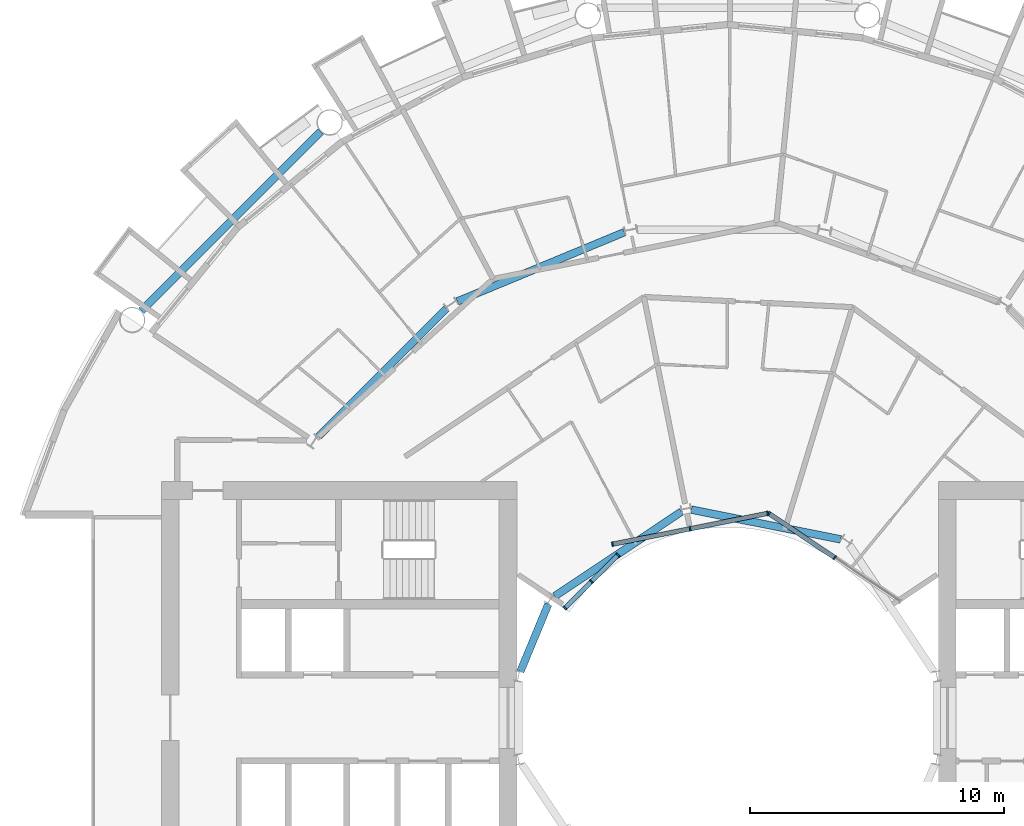
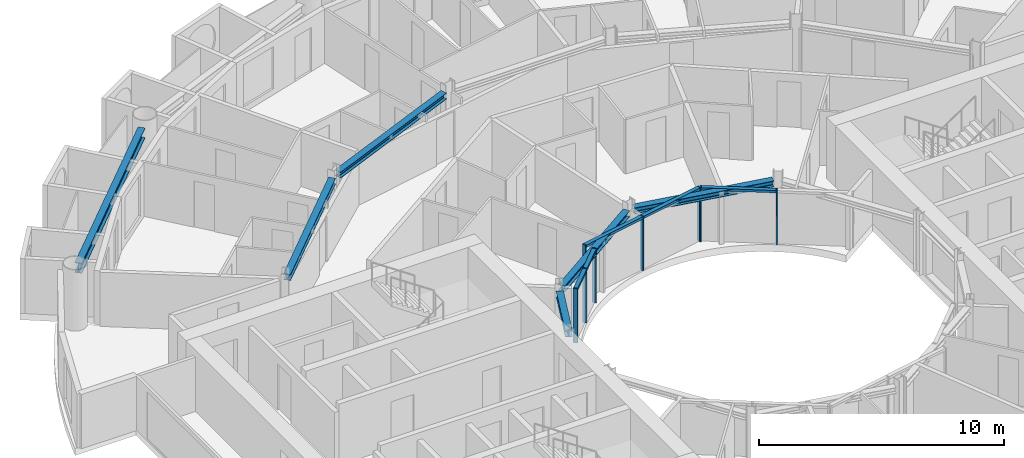
# One storey, part 7 of 26: 13 members, 6 beams, 3 elements without a shape of their own.
"""IFC4 building model written with IfcOpenShell, lengths in metres."""

from ifc_helpers import new_model, si_unit, direction, frame, origin, origin_2d, place, context, subcontext, project, spatial, rectangle, i_section, extrude, material, layer, layer_set, material_profile, profile_set, type_object, element, aggregate, save


model = new_model("IFC4")

# Units and contexts
model_context = context("Model", 3, precision=1e-05, world=origin(), true_north=direction((0.0, 1.0)))
body_context = subcontext(model_context, "Body", "Model", "MODEL_VIEW")
ifc_project = project(units=[si_unit("LENGTHUNIT", "METRE"), si_unit("AREAUNIT", "SQUARE_METRE"), si_unit("VOLUMEUNIT", "CUBIC_METRE"), si_unit("PLANEANGLEUNIT", "RADIAN"), si_unit("MASSUNIT", "GRAM", prefix="KILO")], contexts=[model_context])

# Site, building, storey
site_placement = place(None, origin())
site = spatial("IfcSite", under=ifc_project, at=site_placement, CompositionType="ELEMENT")
building_placement = place(site_placement, origin())
building = spatial("IfcBuilding", under=site, at=building_placement, Name="Maasbend Ring Residences", CompositionType="ELEMENT")
storey_placement = place(building_placement, frame((0.0, 0.0, 66.64990234375)))
storey = spatial("IfcBuildingStorey", under=building, at=storey_placement, Name="L18", CompositionType="ELEMENT", Elevation=66.64990234375)

# Curtain wall, members
ifc_material_1 = material(Name="Aluminium and clear glass", Category="aluminium")
ifc_layer = layer(ifc_material_1, 0.179931640625)
ifc_layer_set = layer_set([ifc_layer], Name="CW-W")
curtain_wall_type = type_object("IfcCurtainWallType", Name="CW-W", PredefinedType="NOTDEFINED", material=ifc_layer_set)
curtain_wall_1_placement = place(storey_placement, origin())
curtain_wall_1 = element("IfcCurtainWall", 1, at=curtain_wall_1_placement, inside=storey, type_object=curtain_wall_type, Name="Well curtain wall N1", PredefinedType="NOTDEFINED")
ifc_material_2 = material(Name="Aluminium 6063-T6", Category="aluminium")
ifc_material_profile_1 = material_profile(ifc_material_2, rectangle(XDim=0.179931640625, YDim=0.06005859375, at=origin_2d()), Name="AL 180x60")
ifc_profile_set_1 = profile_set([ifc_material_profile_1], Name="Aluminium 6063-T6")
member_type_1 = type_object("IfcMemberType", Name="CWM-W", PredefinedType="MULLION", material=ifc_profile_set_1)
member_1_placement = place(storey_placement, frame((4.216796875, 6.310791015625, 0.0), z_axis=(0.0, 0.0, 1.0), x_axis=(-0.55557023302, -0.831469612303, 0.0)))
member_1 = element("IfcMember", 2, at=member_1_placement, type_object=member_type_1, Name="Mullion well face", PredefinedType="MULLION", context=body_context, shape_type="SweptSolid", body=[
    extrude(rectangle(XDim=0.179931640625, YDim=0.06005859375, at=origin_2d()), origin(), (0.0, 0.0, 1.0), 2.7001953125),
])
member_2_placement = place(storey_placement, frame((1.627685546875, 8.040771484375, 0.0), z_axis=(0.0, 0.0, 1.0), x_axis=(-0.55557023302, -0.831469612303, 0.0)))
member_2 = element("IfcMember", 3, at=member_2_placement, type_object=member_type_1, Name="Mullion well face", PredefinedType="MULLION", context=body_context, shape_type="SweptSolid", body=[
    extrude(rectangle(XDim=0.179931640625, YDim=0.06005859375, at=origin_2d()), origin(), (0.0, 0.0, 1.0), 2.7001953125),
])

curtain_wall_2_placement = place(storey_placement, origin())
curtain_wall_2 = element("IfcCurtainWall", 4, at=curtain_wall_2_placement, inside=storey, type_object=curtain_wall_type, Name="Well curtain wall N2", PredefinedType="NOTDEFINED")
member_3_placement = place(storey_placement, frame((1.5732421875, 8.0517578125, 0.0), z_axis=(0.0, 0.0, 1.0), x_axis=(0.195090322016, -0.980785280403, 0.0)))
member_3 = element("IfcMember", 5, at=member_3_placement, type_object=member_type_1, Name="Mullion well face", PredefinedType="MULLION", context=body_context, shape_type="SweptSolid", body=[
    extrude(rectangle(XDim=0.179931640625, YDim=0.06005859375, at=origin_2d()), origin(), (0.0, 0.0, 1.0), 2.7001953125),
])
member_4_placement = place(storey_placement, frame((-1.480712890625, 7.444091796875, 0.0), z_axis=(0.0, 0.0, 1.0), x_axis=(0.195090322016, -0.980785280403, 0.0)))
member_4 = element("IfcMember", 6, at=member_4_placement, type_object=member_type_1, Name="Mullion well face", PredefinedType="MULLION", context=body_context, shape_type="SweptSolid", body=[
    extrude(rectangle(XDim=0.179931640625, YDim=0.06005859375, at=origin_2d()), origin(), (0.0, 0.0, 1.0), 2.7001953125),
])
member_5_placement = place(storey_placement, frame((-4.53466796875, 6.836669921875, 0.0), z_axis=(0.0, 0.0, 1.0), x_axis=(0.195090322016, -0.980785280403, 0.0)))
member_5 = element("IfcMember", 7, at=member_5_placement, type_object=member_type_1, Name="Mullion well face", PredefinedType="MULLION", context=body_context, shape_type="SweptSolid", body=[
    extrude(rectangle(XDim=0.179931640625, YDim=0.06005859375, at=origin_2d()), origin(), (0.0, 0.0, 1.0), 2.7001953125),
])

curtain_wall_3_placement = place(storey_placement, origin())
curtain_wall_3 = element("IfcCurtainWall", 8, at=curtain_wall_3_placement, inside=storey, type_object=curtain_wall_type, Name="Well curtain wall N3", PredefinedType="NOTDEFINED")
member_6_placement = place(storey_placement, frame((-4.320556640625, 6.413330078125, 0.0), z_axis=(0.0, 0.0, 1.0), x_axis=(0.707106781187, -0.707106781187, 0.0)))
member_6 = element("IfcMember", 9, at=member_6_placement, type_object=member_type_1, Name="Mullion well face", PredefinedType="MULLION", context=body_context, shape_type="SweptSolid", body=[
    extrude(rectangle(XDim=0.179931640625, YDim=0.06005859375, at=origin_2d()), origin(), (0.0, 0.0, 1.0), 2.7001953125),
])
member_7_placement = place(storey_placement, frame((-5.366943359375, 5.366943359375, 0.0), z_axis=(0.0, 0.0, 1.0), x_axis=(0.707106781187, -0.707106781187, 0.0)))
member_7 = element("IfcMember", 10, at=member_7_placement, type_object=member_type_1, Name="Mullion well face", PredefinedType="MULLION", context=body_context, shape_type="SweptSolid", body=[
    extrude(rectangle(XDim=0.179931640625, YDim=0.06005859375, at=origin_2d()), origin(), (0.0, 0.0, 1.0), 2.7001953125),
])
member_8_placement = place(storey_placement, frame((-6.413330078125, 4.320556640625, 0.0), z_axis=(0.0, 0.0, 1.0), x_axis=(0.707106781187, -0.707106781187, 0.0)))
member_8 = element("IfcMember", 11, at=member_8_placement, type_object=member_type_1, Name="Mullion well face", PredefinedType="MULLION", context=body_context, shape_type="SweptSolid", body=[
    extrude(rectangle(XDim=0.179931640625, YDim=0.06005859375, at=origin_2d()), origin(), (0.0, 0.0, 1.0), 2.7001953125),
])

# Member
ifc_material_3 = material(Name="Aluminium 6063-T6", Category="aluminium")
ifc_material_profile_2 = material_profile(ifc_material_3, rectangle(XDim=0.179931640625, YDim=0.1201171875, at=origin_2d()), Name="AL 180x120")
ifc_profile_set_2 = profile_set([ifc_material_profile_2], Name="Aluminium 6063-T6")
member_type_2 = type_object("IfcMemberType", Name="CWT-W", PredefinedType="USERDEFINED", material=ifc_profile_set_2)
member_9_placement = place(storey_placement, frame((4.19189453125, 6.32763671875, 2.64013671875), z_axis=(-0.831496422459, 0.555530106689, 0.0), x_axis=(-0.555530106689, -0.831496422459, 0.0)))
member_9 = element("IfcMember", 12, at=member_9_placement, type_object=member_type_2, Name="Transom well face", ObjectType="TRANSOM", PredefinedType="USERDEFINED", context=body_context, shape_type="SweptSolid", body=[
    extrude(rectangle(XDim=0.179931640625, YDim=0.1201171875, at=origin_2d()), origin(), (0.0, 0.0, 1.0), 3.053955078125),
])

aggregate(curtain_wall_1, [member_1, member_2, member_9])

member_10_placement = place(storey_placement, frame((1.5439453125, 8.0458984375, 2.64013671875), z_axis=(-0.980776956105, -0.195132166424, 0.0), x_axis=(0.195132166424, -0.980776956105, 0.0)))
member_10 = element("IfcMember", 13, at=member_10_placement, type_object=member_type_2, Name="Transom well face", ObjectType="TRANSOM", PredefinedType="USERDEFINED", context=body_context, shape_type="SweptSolid", body=[
    extrude(rectangle(XDim=0.179931640625, YDim=0.1201171875, at=origin_2d()), origin(), (0.0, 0.0, 1.0), 3.053955078125),
])

member_11_placement = place(storey_placement, frame((-1.51025390625, 7.438232421875, 2.64013671875), z_axis=(-0.980789210404, -0.19507056353, 0.0), x_axis=(0.19507056353, -0.980789210404, 0.0)))
member_11 = element("IfcMember", 14, at=member_11_placement, type_object=member_type_2, Name="Transom well face", ObjectType="TRANSOM", PredefinedType="USERDEFINED", context=body_context, shape_type="SweptSolid", body=[
    extrude(rectangle(XDim=0.179931640625, YDim=0.1201171875, at=origin_2d()), origin(), (0.0, 0.0, 1.0), 3.0537109375),
])

aggregate(curtain_wall_2, [member_3, member_4, member_5, member_10, member_11])

member_12_placement = place(storey_placement, frame((-4.341796875, 6.39208984375, 2.64013671875), z_axis=(-0.707106781187, -0.707106781187, 0.0), x_axis=(0.707106781187, -0.707106781187, 0.0)))
member_12 = element("IfcMember", 15, at=member_12_placement, type_object=member_type_2, Name="Transom well face", ObjectType="TRANSOM", PredefinedType="USERDEFINED", context=body_context, shape_type="SweptSolid", body=[
    extrude(rectangle(XDim=0.179931640625, YDim=0.1201171875, at=origin_2d()), origin(), (0.0, 0.0, 1.0), 1.419677734375),
])

member_13_placement = place(storey_placement, frame((-5.38818359375, 5.345703125, 2.64013671875), z_axis=(-0.707106781187, -0.707106781187, 0.0), x_axis=(0.707106781187, -0.707106781187, 0.0)))
member_13 = element("IfcMember", 16, at=member_13_placement, type_object=member_type_2, Name="Transom well face", ObjectType="TRANSOM", PredefinedType="USERDEFINED", context=body_context, shape_type="SweptSolid", body=[
    extrude(rectangle(XDim=0.179931640625, YDim=0.1201171875, at=origin_2d()), origin(), (0.0, 0.0, 1.0), 1.419677734375),
])

aggregate(curtain_wall_3, [member_6, member_7, member_8, member_12, member_13])

# Beams
ifc_material_4 = material(Name="Steel S355J2", Category="steel")
ifc_material_profile_3 = material_profile(ifc_material_4, i_section(OverallWidth=0.300048828125, OverallDepth=0.300048828125, WebThickness=0.010986328125, FlangeThickness=0.01904296875, FilletRadius=0.027099609375, at=origin_2d()), Name="HEB 300")
ifc_profile_set_3 = profile_set([ifc_material_profile_3], Name="Steel S355J2")
beam_type_1 = type_object("IfcBeamType", Name="Corridor ring beam HEB 300", PredefinedType="BEAM", material=ifc_profile_set_3)
for number, where, z_axis, x_axis, name in (
    (17, (-4.070556640625, 19.12109375, 2.550048828125), (-0.923877113721, -0.382689271788, 0.0), (0.382689271788, -0.923877113721, 0.0), "Corridor ring beam"),
    (18, (-11.078125, 16.10791015625, 2.550048828125), (-0.707106781187, -0.707106781187, 0.0), (0.707106781187, -0.707106781187, 0.0), "Corridor ring beam"),
):
    element("IfcBeam", number, at=place(storey_placement, frame(where, z_axis=z_axis, x_axis=x_axis)), inside=storey, type_object=beam_type_1, Name=name, PredefinedType="BEAM", context=body_context, shape_type="SweptSolid", body=[
        extrude(i_section(OverallWidth=0.300048828125, OverallDepth=0.300048828125, WebThickness=0.010986328125, FlangeThickness=0.01904296875, FilletRadius=0.027099609375, at=origin_2d()), origin(), (0.0, 0.0, 1.0), 7.11328125),
    ])
ifc_material_5 = material(Name="Steel S355J2", Category="steel")
ifc_material_profile_4 = material_profile(ifc_material_5, i_section(OverallWidth=0.300048828125, OverallDepth=0.5, WebThickness=0.014404296875, FlangeThickness=0.028076171875, FilletRadius=0.027099609375, at=origin_2d()), Name="HEB 500")
ifc_profile_set_4 = profile_set([ifc_material_profile_4], Name="Steel S355J2")
beam_type_2 = type_object("IfcBeamType", Name="Spandrel ring beam HEB 500", PredefinedType="SPANDREL", material=ifc_profile_set_4)
beam_1_placement = place(storey_placement, frame((-16.0263671875, 23.088134765625, 2.4501953125), z_axis=(-0.707106781187, -0.707106781187, 0.0), x_axis=(0.707106781187, -0.707106781187, 0.0)))
element("IfcBeam", 19, at=beam_1_placement, inside=storey, type_object=beam_type_2, Name="Spandrel ring beam", PredefinedType="SPANDREL", context=body_context, shape_type="SweptSolid", body=[
    extrude(i_section(OverallWidth=0.300048828125, OverallDepth=0.5, WebThickness=0.014404296875, FlangeThickness=0.028076171875, FilletRadius=0.027099609375, at=origin_2d()), origin(), (0.0, 0.0, 1.0), 9.98681640625),
])
ifc_material_6 = material(Name="Steel S355J2", Category="steel")
ifc_material_profile_5 = material_profile(ifc_material_6, i_section(OverallWidth=0.300048828125, OverallDepth=0.300048828125, WebThickness=0.010986328125, FlangeThickness=0.01904296875, FilletRadius=0.027099609375, at=origin_2d()), Name="HEB 300")
ifc_profile_set_5 = profile_set([ifc_material_profile_5], Name="Steel S355J2")
beam_type_3 = type_object("IfcBeamType", Name="Well edge beam HEB 300", PredefinedType="BEAM", material=ifc_profile_set_5)
beam_2_placement = place(storey_placement, frame((4.45458984375, 7.026611328125, 2.550048828125), z_axis=(-0.980789954577, 0.195066821885, 0.0), x_axis=(-0.195066821885, -0.980789954577, 0.0)))
element("IfcBeam", 20, at=beam_2_placement, inside=storey, type_object=beam_type_3, Name="Well edge beam", PredefinedType="BEAM", context=body_context, shape_type="SweptSolid", body=[
    extrude(i_section(OverallWidth=0.300048828125, OverallDepth=0.300048828125, WebThickness=0.010986328125, FlangeThickness=0.01904296875, FilletRadius=0.027099609375, at=origin_2d()), origin(), (0.0, 0.0, 1.0), 5.996337890625),
])
beam_3_placement = place(storey_placement, frame((-1.81884765625, 8.118408203125, 2.550048828125), z_axis=(-0.83145471117, -0.555592533493, 0.0), x_axis=(0.555592533493, -0.83145471117, 0.0)))
element("IfcBeam", 21, at=beam_3_placement, inside=storey, type_object=beam_type_3, Name="Well edge beam", PredefinedType="BEAM", context=body_context, shape_type="SweptSolid", body=[
    extrude(i_section(OverallWidth=0.300048828125, OverallDepth=0.300048828125, WebThickness=0.010986328125, FlangeThickness=0.01904296875, FilletRadius=0.027099609375, at=origin_2d()), origin(), (0.0, 0.0, 1.0), 5.995849609375),
])
beam_4_placement = place(storey_placement, frame((-7.062255859375, 4.478515625, 2.550048828125), z_axis=(-0.382729955172, -0.923860260761, 0.0), x_axis=(0.923860260761, -0.382729955172, 0.0)))
element("IfcBeam", 22, at=beam_4_placement, inside=storey, type_object=beam_type_3, Name="Well edge beam", PredefinedType="BEAM", context=body_context, shape_type="SweptSolid", body=[
    extrude(i_section(OverallWidth=0.300048828125, OverallDepth=0.300048828125, WebThickness=0.010986328125, FlangeThickness=0.01904296875, FilletRadius=0.027099609375, at=origin_2d()), origin(), (0.0, 0.0, 1.0), 2.869873046875),
])

save(model, "model.ifc")
